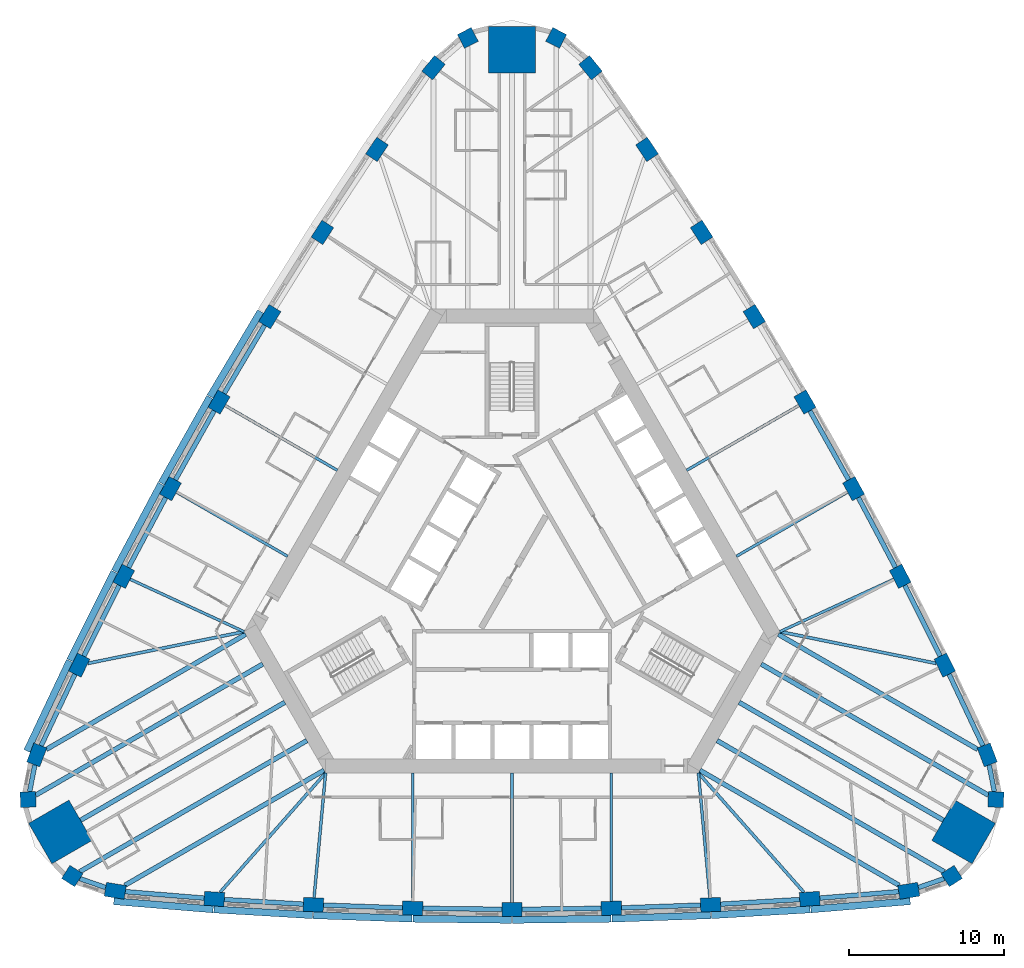
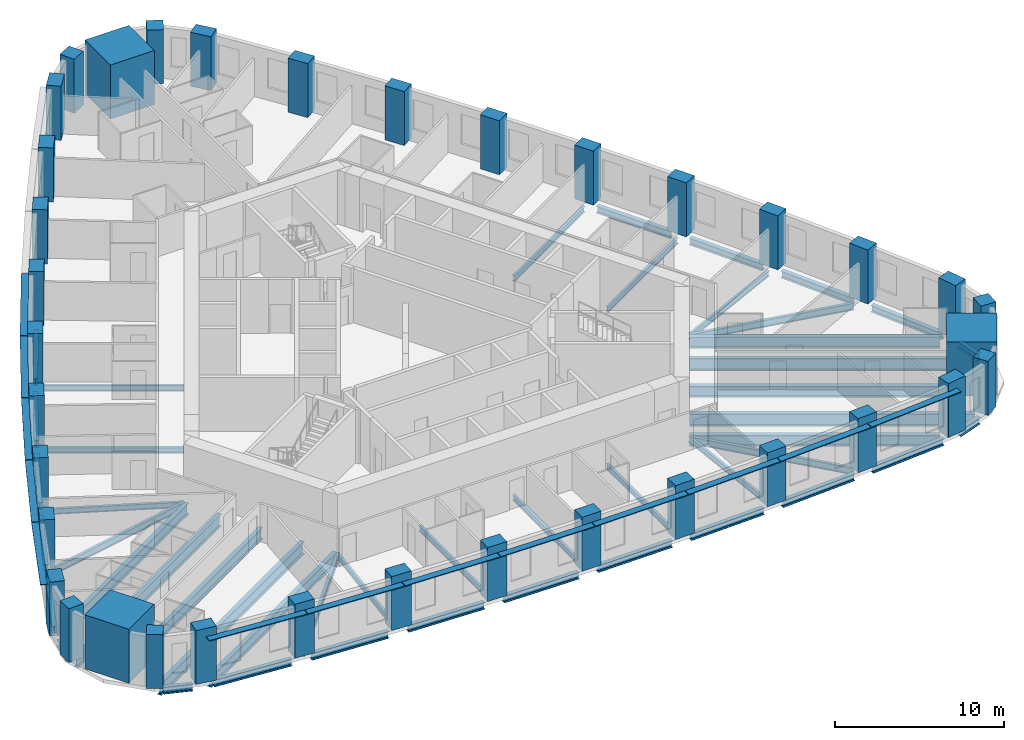
# One storey, part 1 of 12: 46 beams, 36 columns, 13 members.
"""IFC4 building model written with IfcOpenShell, lengths in metres."""

from ifc_helpers import new_model, si_unit, direction, frame, origin, origin_2d, place, context, subcontext, project, spatial, rectangle, i_section, extrude, material, material_profile, profile_set, type_object, element, save


model = new_model("IFC4")

# Units and contexts
model_context = context("Model", 3, precision=1e-05, world=origin(), true_north=direction((0.0, 1.0)))
body_context = subcontext(model_context, "Body", "Model", "MODEL_VIEW")
ifc_project = project(units=[si_unit("LENGTHUNIT", "METRE"), si_unit("AREAUNIT", "SQUARE_METRE"), si_unit("VOLUMEUNIT", "CUBIC_METRE"), si_unit("PLANEANGLEUNIT", "RADIAN"), si_unit("MASSUNIT", "GRAM", prefix="KILO")], contexts=[model_context])

# Site, building, storey
site_placement = place(None, origin())
site = spatial("IfcSite", under=ifc_project, at=site_placement, CompositionType="ELEMENT")
building_placement = place(site_placement, origin())
building = spatial("IfcBuilding", under=site, at=building_placement, Name="Mestral Congress Tower", CompositionType="ELEMENT")
storey_placement = place(building_placement, frame((0.0, 0.0, 107.10009765625)))
storey = spatial("IfcBuildingStorey", under=building, at=storey_placement, Name="L25", CompositionType="ELEMENT", Elevation=107.10009765625)

# Columns
ifc_material_1 = material(Name="Concrete C70/85", Category="concrete")
ifc_material_profile_1 = material_profile(ifc_material_1, rectangle(XDim=1.0, YDim=1.0, at=origin_2d()), Name="RC 1000x1000")
ifc_profile_set_1 = profile_set([ifc_material_profile_1], Name="Concrete C70/85")
column_type_1 = type_object("IfcColumnType", Name="Column RC 1000x1000 C70/85", PredefinedType="COLUMN", material=ifc_profile_set_1)
for number, where, z_axis, x_axis, name in (
    (1, (28.331298828125, -19.642822265625, 0.0), (0.0, 0.0, 1.0), (0.841700252504, 0.53994507585, 0.0), "COL-L25-C2-SE1"),
    (2, (31.1767578125, -14.714111328125, 0.0), (0.0, 0.0, 1.0), (0.046756026083, 0.998906338965, 0.0), "COL-L25-C2-SE3"),
    (3, (2.845703125, 34.35693359375, 0.0), (0.0, 0.0, 1.0), (-0.888456278587, 0.458961263115, 0.0), "COL-L25-C2-N1"),
    (4, (-2.845703125, 34.35693359375, 0.0), (0.0, 0.0, 1.0), (-0.888456278587, -0.458961263115, 0.0), "COL-L25-C2-N3"),
    (5, (-31.1767578125, -14.714111328125, 0.0), (0.0, 0.0, 1.0), (0.046756026083, -0.998906338965, 0.0), "COL-L25-C2-SW1"),
    (6, (-28.331298828125, -19.642822265625, 0.0), (0.0, 0.0, 1.0), (0.841700252504, -0.53994507585, 0.0), "COL-L25-C2-SW3"),
):
    element("IfcColumn", number, at=place(storey_placement, frame(where, z_axis=z_axis, x_axis=x_axis)), inside=storey, type_object=column_type_1, Name=name, PredefinedType="COLUMN", context=body_context, shape_type="SweptSolid", body=[
        extrude(rectangle(XDim=1.0, YDim=1.0, at=origin_2d()), origin(), (0.0, 0.0, 1.0), 3.89990234375),
    ])
ifc_material_profile_2 = material_profile(ifc_material_1, rectangle(XDim=1.300048828125, YDim=0.89990234375, at=origin_2d()), Name="RC 1300x900")
ifc_profile_set_2 = profile_set([ifc_material_profile_2], Name="Concrete C70/85")
column_type_2 = type_object("IfcColumnType", Name="Column RC 1300x900 C70/85", PredefinedType="COLUMN", material=ifc_profile_set_2)
for number, where, z_axis, x_axis, name in (
    (7, (-25.562744140625, -20.59716796875, 0.0), (0.0, 0.0, 1.0), (0.987202314361, -0.159472851987, 0.0), "COL-L25-C2-S00"),
    (8, (-19.184326171875, -21.120361328125, 0.0), (0.0, 0.0, 1.0), (0.997539884588, -0.07010120296, 0.0), "COL-L25-C2-S01"),
    (9, (-12.79541015625, -21.494384765625, 0.0), (0.0, 0.0, 1.0), (0.998906338965, -0.046756026083, 0.0), "COL-L25-C2-S02"),
    (10, (-6.3994140625, -21.71875, 0.0), (0.0, 0.0, 1.0), (0.99972656776, -0.023383535144, 0.0), "COL-L25-C2-S03"),
    (11, (0.0, -21.793701171875, 0.0), (0.0, 0.0, 1.0), (1.0, 0.0, 0.0), "COL-L25-C2-S04"),
    (12, (6.3994140625, -21.71875, 0.0), (0.0, 0.0, 1.0), (0.99972656776, 0.023383535144, 0.0), "COL-L25-C2-S05"),
    (13, (12.79541015625, -21.494384765625, 0.0), (0.0, 0.0, 1.0), (0.998906338965, 0.046756026083, 0.0), "COL-L25-C2-S06"),
    (14, (19.184326171875, -21.120361328125, 0.0), (0.0, 0.0, 1.0), (0.997539884588, 0.07010120296, 0.0), "COL-L25-C2-S07"),
    (15, (25.562744140625, -20.59716796875, 0.0), (0.0, 0.0, 1.0), (0.987202314361, 0.159472851987, 0.0), "COL-L25-C2-S08"),
    (16, (30.618896484375, -11.83935546875, 0.0), (0.0, 0.0, 1.0), (-0.355493616145, 0.934678708905, 0.0), "COL-L25-C2-E00"),
    (17, (27.8828125, -6.0537109375, 0.0), (0.0, 0.0, 1.0), (-0.438060519695, 0.898945482821, 0.0), "COL-L25-C2-E01"),
    (18, (25.01220703125, -0.333984375, 0.0), (0.0, 0.0, 1.0), (-0.458961263115, 0.888456278587, 0.0), "COL-L25-C2-E02"),
    (19, (22.0087890625, 5.3173828125, 0.0), (0.0, 0.0, 1.0), (-0.479612548415, 0.87748037209, 0.0), "COL-L25-C2-E03"),
    (20, (18.873779296875, 10.896728515625, 0.0), (0.0, 0.0, 1.0), (-0.5, 0.866025403784, 0.0), "COL-L25-C2-E04"),
    (21, (15.609375, 16.401611328125, 0.0), (0.0, 0.0, 1.0), (-0.520114019344, 0.854096836946, 0.0), "COL-L25-C2-E05"),
    (22, (12.217041015625, 21.828369140625, 0.0), (0.0, 0.0, 1.0), (-0.53994507585, 0.841700252504, 0.0), "COL-L25-C2-E06"),
    (23, (8.69873046875, 27.17431640625, 0.0), (0.0, 0.0, 1.0), (-0.559479364893, 0.828844279861, 0.0), "COL-L25-C2-E07"),
    (24, (5.056396484375, 32.4365234375, 0.0), (0.0, 0.0, 1.0), (-0.631708698215, 0.775205856918, 0.0), "COL-L25-C2-E08"),
    (25, (-5.056396484375, 32.4365234375, 0.0), (0.0, 0.0, 1.0), (-0.631708698215, -0.775205856918, 0.0), "COL-L25-C2-W00"),
    (26, (-8.69873046875, 27.17431640625, 0.0), (0.0, 0.0, 1.0), (-0.559479364893, -0.828844279861, 0.0), "COL-L25-C2-W01"),
    (27, (-12.217041015625, 21.828369140625, 0.0), (0.0, 0.0, 1.0), (-0.53994507585, -0.841700252504, 0.0), "COL-L25-C2-W02"),
    (28, (-15.609375, 16.401611328125, 0.0), (0.0, 0.0, 1.0), (-0.520114019344, -0.854096836946, 0.0), "COL-L25-C2-W03"),
    (29, (-18.873779296875, 10.896728515625, 0.0), (0.0, 0.0, 1.0), (-0.5, -0.866025403784, 0.0), "COL-L25-C2-W04"),
    (30, (-22.0087890625, 5.3173828125, 0.0), (0.0, 0.0, 1.0), (-0.479612548415, -0.87748037209, 0.0), "COL-L25-C2-W05"),
    (31, (-25.01220703125, -0.333984375, 0.0), (0.0, 0.0, 1.0), (-0.458961263115, -0.888456278587, 0.0), "COL-L25-C2-W06"),
    (32, (-27.8828125, -6.0537109375, 0.0), (0.0, 0.0, 1.0), (-0.438060519695, -0.898945482821, 0.0), "COL-L25-C2-W07"),
    (33, (-30.618896484375, -11.83935546875, 0.0), (0.0, 0.0, 1.0), (-0.355493616145, -0.934678708905, 0.0), "COL-L25-C2-W08"),
):
    element("IfcColumn", number, at=place(storey_placement, frame(where, z_axis=z_axis, x_axis=x_axis)), inside=storey, type_object=column_type_2, Name=name, PredefinedType="COLUMN", context=body_context, shape_type="SweptSolid", body=[
        extrude(rectangle(XDim=1.300048828125, YDim=0.89990234375, at=origin_2d()), origin(), (0.0, 0.0, 1.0), 3.89990234375),
    ])
ifc_material_2 = material(Name="Concrete C80/95", Category="concrete")
ifc_material_profile_3 = material_profile(ifc_material_2, rectangle(XDim=3.0, YDim=3.0, at=origin_2d()), Name="RC 3000x3000")
ifc_profile_set_3 = profile_set([ifc_material_profile_3], Name="Concrete C80/95")
column_type_3 = type_object("IfcColumnType", Name="Mega column RC 3000x3000 C80/95", PredefinedType="COLUMN", material=ifc_profile_set_3)
for number, where, z_axis, x_axis, name in (
    (34, (29.09716796875, -16.79931640625, 0.0), (0.0, 0.0, 1.0), (0.866025403784, -0.5, 0.0), "COL-L25-PY2-SE"),
    (35, (0.0, 33.598388671875, 0.0), (0.0, 0.0, 1.0), (0.0, 1.0, 0.0), "COL-L25-PY2-N"),
    (36, (-29.09716796875, -16.79931640625, 0.0), (0.0, 0.0, 1.0), (-0.866025403784, -0.5, 0.0), "COL-L25-PY2-SW"),
):
    element("IfcColumn", number, at=place(storey_placement, frame(where, z_axis=z_axis, x_axis=x_axis)), inside=storey, type_object=column_type_3, Name=name, PredefinedType="COLUMN", context=body_context, shape_type="SweptSolid", body=[
        extrude(rectangle(XDim=3.0, YDim=3.0, at=origin_2d()), origin(), (0.0, 0.0, 1.0), 3.89990234375),
    ])

# Members
ifc_material_3 = material(Name="Glazed ceramic", Category="masonry")
ifc_material_profile_4 = material_profile(ifc_material_3, rectangle(XDim=0.449951171875, YDim=0.06005859375, at=origin_2d()), Name="Ceramic blade 450 x 60")
ifc_profile_set_4 = profile_set([ifc_material_profile_4], Name="Glazed ceramic")
member_type = type_object("IfcMemberType", Name="Facade sunshade blade 450 x 60", PredefinedType="USERDEFINED", material=ifc_profile_set_4)
member_1_placement = place(storey_placement, frame((-25.654296875, -21.266845703125, 3.27978515625), z_axis=(0.996650616323, -0.081777435656, 0.0), x_axis=(0.081777435656, 0.996650616323, 0.0)))
element("IfcMember", 37, at=member_1_placement, inside=storey, type_object=member_type, Name="Sunshade F0-00", ObjectType="SUNSHADE", PredefinedType="USERDEFINED", context=body_context, shape_type="SweptSolid", body=[
    extrude(rectangle(XDim=0.449951171875, YDim=0.06005859375, at=origin_2d()), origin(), (0.0, 0.0, 1.0), 6.421630859375),
])
for number, where, z_axis, x_axis, name in (
    (38, (-19.208984375, -21.795166015625, 3.27978515625), (0.998292825409, -0.05840748871, 0.0), (0.05840748871, 0.998292825409, 0.0), "Sunshade F0-01"),
    (39, (-12.80419921875, -22.16943359375, 3.27978515625), (0.999384970229, -0.035066811664, 0.0), (0.035066811664, 0.999384970229, 0.0), "Sunshade F0-02"),
    (40, (-6.392578125, -22.393798828125, 3.27978515625), (0.999931231966, -0.011727375608, 0.0), (0.011727375608, 0.999931231966, 0.0), "Sunshade F0-03"),
    (41, (0.022705078125, -22.468505859375, 3.27978515625), (0.999931231966, 0.011727375608, 0.0), (-0.011727375608, 0.999931231966, 0.0), "Sunshade F0-04"),
    (42, (6.437744140625, -22.392822265625, 3.27978515625), (0.999384970229, 0.035066811664, 0.0), (-0.035066811664, 0.999384970229, 0.0), "Sunshade F0-05"),
    (43, (12.849609375, -22.167236328125, 3.27978515625), (0.998292825409, 0.05840748871, 0.0), (-0.05840748871, 0.998292825409, 0.0), "Sunshade F0-06"),
):
    element("IfcMember", number, at=place(storey_placement, frame(where, z_axis=z_axis, x_axis=x_axis)), inside=storey, type_object=member_type, Name=name, ObjectType="SUNSHADE", PredefinedType="USERDEFINED", context=body_context, shape_type="SweptSolid", body=[
        extrude(rectangle(XDim=0.449951171875, YDim=0.06005859375, at=origin_2d()), origin(), (0.0, 0.0, 1.0), 6.370361328125),
    ])
member_2_placement = place(storey_placement, frame((19.254150390625, -21.7919921875, 3.27978515625), z_axis=(0.996650616323, 0.081777435656, 0.0), x_axis=(-0.081777435656, 0.996650616323, 0.0)))
element("IfcMember", 44, at=member_2_placement, inside=storey, type_object=member_type, Name="Sunshade F0-07", ObjectType="SUNSHADE", PredefinedType="USERDEFINED", context=body_context, shape_type="SweptSolid", body=[
    extrude(rectangle(XDim=0.449951171875, YDim=0.06005859375, at=origin_2d()), origin(), (0.0, 0.0, 1.0), 6.421630859375),
])
for number, where, z_axis, x_axis, name in (
    (45, (-16.197509765625, 16.733154296875, 3.27978515625), (-0.510098606231, -0.86011592935, 0.0), (0.86011592935, -0.510098606231, 0.0), "Sunshade F2-03"),
    (46, (-19.469482421875, 11.214599609375, 3.27978515625), (-0.489860886888, -0.871800614531, 0.0), (0.871800614531, -0.489860886888, 0.0), "Sunshade F2-04"),
    (47, (-22.61181640625, 5.62109375, 3.27978515625), (-0.469318672425, -0.883028869128, 0.0), (0.883028869128, -0.469318672425, 0.0), "Sunshade F2-05"),
):
    element("IfcMember", number, at=place(storey_placement, frame(where, z_axis=z_axis, x_axis=x_axis)), inside=storey, type_object=member_type, Name=name, ObjectType="SUNSHADE", PredefinedType="USERDEFINED", context=body_context, shape_type="SweptSolid", body=[
        extrude(rectangle(XDim=0.449951171875, YDim=0.06005859375, at=origin_2d()), origin(), (0.0, 0.0, 1.0), 6.370361328125),
    ])
member_3_placement = place(storey_placement, frame((-25.622314453125, -0.04443359375, 3.27978515625), z_axis=(-0.448531530965, -0.893767008638, 0.0), x_axis=(0.893767008638, -0.448531530965, 0.0)))
element("IfcMember", 48, at=member_3_placement, inside=storey, type_object=member_type, Name="Sunshade F2-06", ObjectType="SUNSHADE", PredefinedType="USERDEFINED", context=body_context, shape_type="SweptSolid", body=[
    extrude(rectangle(XDim=0.449951171875, YDim=0.06005859375, at=origin_2d()), origin(), (0.0, 0.0, 1.0), 6.3701171875),
])
member_4_placement = place(storey_placement, frame((-28.49951171875, -5.778564453125, 3.27978515625), z_axis=(-0.427519164001, -0.904006285604, 0.0), x_axis=(0.904006285604, -0.427519164001, 0.0)))
element("IfcMember", 49, at=member_4_placement, inside=storey, type_object=member_type, Name="Sunshade F2-07", ObjectType="SUNSHADE", PredefinedType="USERDEFINED", context=body_context, shape_type="SweptSolid", body=[
    extrude(rectangle(XDim=0.449951171875, YDim=0.06005859375, at=origin_2d()), origin(), (0.0, 0.0, 1.0), 6.421630859375),
])

# Beams
ifc_material_4 = material(Name="Steel S355", Category="steel")
ifc_material_profile_5 = material_profile(ifc_material_4, i_section(OverallWidth=0.300048828125, OverallDepth=0.800048828125, WebThickness=0.017578125, FlangeThickness=0.032958984375, FilletRadius=0.030029296875, at=origin_2d()), Name="HEB 800")
ifc_profile_set_5 = profile_set([ifc_material_profile_5], Name="Steel S355")
beam_type_1 = type_object("IfcBeamType", Name="Floor beam HEB 800 S355", PredefinedType="BEAM", material=ifc_profile_set_5)
for number, where, z_axis, x_axis, name in (
    (50, (-24.94580078125, -20.240966796875, -0.650146484375), (0.866025146382, 0.500000445834, 0.0), (-0.500000445834, 0.866025146382, 0.0), "BM-L25-RB2-S00"),
    (51, (24.94580078125, -20.240966796875, -0.650146484375), (-0.866025146382, 0.500000445834, 0.0), (-0.500000445834, -0.866025146382, 0.0), "BM-L25-RB2-S08"),
):
    element("IfcBeam", number, at=place(storey_placement, frame(where, z_axis=z_axis, x_axis=x_axis)), inside=storey, type_object=beam_type_1, Name=name, PredefinedType="BEAM", context=body_context, shape_type="SweptSolid", body=[
        extrude(i_section(OverallWidth=0.300048828125, OverallDepth=0.800048828125, WebThickness=0.017578125, FlangeThickness=0.032958984375, FilletRadius=0.030029296875, at=origin_2d()), origin(), (0.0, 0.0, 1.0), 14.82421875),
    ])
beam_1_placement = place(storey_placement, frame((27.798095703125, -16.04931640625, -0.650146484375), z_axis=(-0.866023213189, 0.500003794204, 0.0), x_axis=(-0.500003794204, -0.866023213189, 0.0)))
element("IfcBeam", 52, at=beam_1_placement, inside=storey, type_object=beam_type_1, Name="BM-L25-RB2-SE", PredefinedType="BEAM", context=body_context, shape_type="SweptSolid", body=[
    extrude(i_section(OverallWidth=0.300048828125, OverallDepth=0.800048828125, WebThickness=0.017578125, FlangeThickness=0.032958984375, FilletRadius=0.030029296875, at=origin_2d()), origin(), (0.0, 0.0, 1.0), 15.19873046875),
])
for number, where, z_axis, x_axis, name in (
    (53, (30.002197265625, -11.483154296875, -0.650146484375), (-0.866025146382, 0.500000445834, 0.0), (-0.500000445834, -0.866025146382, 0.0), "BM-L25-RB2-E00"),
    (54, (-30.002197265625, -11.483154296875, -0.650146484375), (0.866025146382, 0.500000445834, 0.0), (-0.500000445834, 0.866025146382, 0.0), "BM-L25-RB2-W08"),
):
    element("IfcBeam", number, at=place(storey_placement, frame(where, z_axis=z_axis, x_axis=x_axis)), inside=storey, type_object=beam_type_1, Name=name, PredefinedType="BEAM", context=body_context, shape_type="SweptSolid", body=[
        extrude(i_section(OverallWidth=0.300048828125, OverallDepth=0.800048828125, WebThickness=0.017578125, FlangeThickness=0.032958984375, FilletRadius=0.030029296875, at=origin_2d()), origin(), (0.0, 0.0, 1.0), 14.82421875),
    ])
beam_2_placement = place(storey_placement, frame((-27.798095703125, -16.04931640625, -0.650146484375), z_axis=(0.866023213189, 0.500003794204, 0.0), x_axis=(-0.500003794204, 0.866023213189, 0.0)))
element("IfcBeam", 55, at=beam_2_placement, inside=storey, type_object=beam_type_1, Name="BM-L25-RB2-SW", PredefinedType="BEAM", context=body_context, shape_type="SweptSolid", body=[
    extrude(i_section(OverallWidth=0.300048828125, OverallDepth=0.800048828125, WebThickness=0.017578125, FlangeThickness=0.032958984375, FilletRadius=0.030029296875, at=origin_2d()), origin(), (0.0, 0.0, 1.0), 15.19873046875),
])
ifc_material_profile_6 = material_profile(ifc_material_4, i_section(OverallWidth=0.300048828125, OverallDepth=0.89990234375, WebThickness=0.0185546875, FlangeThickness=0.034912109375, FilletRadius=0.030029296875, at=origin_2d()), Name="HEB 900")
ifc_profile_set_6 = profile_set([ifc_material_profile_6], Name="Steel S355")
beam_type_2 = type_object("IfcBeamType", Name="Floor beam HEB 900 S355", PredefinedType="BEAM", material=ifc_profile_set_6)
beam_3_placement = place(storey_placement, frame((27.84375, -19.361328125, -0.7001953125), z_axis=(-0.866024587677, 0.500001413537, 0.0), x_axis=(-0.500001413537, -0.866024587677, 0.0)))
element("IfcBeam", 56, at=beam_3_placement, inside=storey, type_object=beam_type_2, Name="BM-L25-RB2-SE1", PredefinedType="BEAM", context=body_context, shape_type="SweptSolid", body=[
    extrude(i_section(OverallWidth=0.300048828125, OverallDepth=0.89990234375, WebThickness=0.0185546875, FlangeThickness=0.034912109375, FilletRadius=0.030029296875, at=origin_2d()), origin(), (0.0, 0.0, 1.0), 16.89404296875),
])
for number, where, z_axis, x_axis, name in (
    (57, (30.689453125, -14.4326171875, -0.7001953125), (-0.866028200461, 0.499995155983, 0.0), (-0.499995155983, -0.866028200461, 0.0), "BM-L25-RB2-SE3"),
    (58, (-30.689453125, -14.4326171875, -0.7001953125), (0.866028200461, 0.499995155983, 0.0), (-0.499995155983, 0.866028200461, 0.0), "BM-L25-RB2-SW1"),
):
    element("IfcBeam", number, at=place(storey_placement, frame(where, z_axis=z_axis, x_axis=x_axis)), inside=storey, type_object=beam_type_2, Name=name, PredefinedType="BEAM", context=body_context, shape_type="SweptSolid", body=[
        extrude(i_section(OverallWidth=0.300048828125, OverallDepth=0.89990234375, WebThickness=0.0185546875, FlangeThickness=0.034912109375, FilletRadius=0.030029296875, at=origin_2d()), origin(), (0.0, 0.0, 1.0), 16.894287109375),
    ])
beam_4_placement = place(storey_placement, frame((-27.84375, -19.361328125, -0.7001953125), z_axis=(0.866024587677, 0.500001413537, 0.0), x_axis=(-0.500001413537, 0.866024587677, 0.0)))
element("IfcBeam", 59, at=beam_4_placement, inside=storey, type_object=beam_type_2, Name="BM-L25-RB2-SW3", PredefinedType="BEAM", context=body_context, shape_type="SweptSolid", body=[
    extrude(i_section(OverallWidth=0.300048828125, OverallDepth=0.89990234375, WebThickness=0.0185546875, FlangeThickness=0.034912109375, FilletRadius=0.030029296875, at=origin_2d()), origin(), (0.0, 0.0, 1.0), 16.89404296875),
])
ifc_material_profile_7 = material_profile(ifc_material_4, i_section(OverallWidth=0.179931640625, OverallDepth=0.39990234375, WebThickness=0.008544921875, FlangeThickness=0.013427734375, FilletRadius=0.02099609375, at=origin_2d()), Name="IPE 400")
ifc_profile_set_7 = profile_set([ifc_material_profile_7], Name="Steel S355")
beam_type_3 = type_object("IfcBeamType", Name="Floor beam IPE 400 S355", PredefinedType="BEAM", material=ifc_profile_set_7)
beam_5_placement = place(storey_placement, frame((-12.753662109375, -21.0458984375, -0.4501953125), z_axis=(0.092183786594, 0.995742009503, 0.0), x_axis=(-0.995742009503, 0.092183786594, 0.0)))
element("IfcBeam", 60, at=beam_5_placement, inside=storey, type_object=beam_type_3, Name="BM-L25-RB2-S02", PredefinedType="BEAM", context=body_context, shape_type="SweptSolid", body=[
    extrude(i_section(OverallWidth=0.179931640625, OverallDepth=0.39990234375, WebThickness=0.008544921875, FlangeThickness=0.013427734375, FilletRadius=0.02099609375, at=origin_2d()), origin(), (0.0, 0.0, 1.0), 8.080322265625),
])
beam_6_placement = place(storey_placement, frame((-6.3994140625, -21.268798828125, -0.4501953125), z_axis=(0.0, 1.0, 0.0), x_axis=(-1.0, 0.0, 0.0)))
element("IfcBeam", 61, at=beam_6_placement, inside=storey, type_object=beam_type_3, Name="BM-L25-RB2-S03", PredefinedType="BEAM", context=body_context, shape_type="SweptSolid", body=[
    extrude(i_section(OverallWidth=0.179931640625, OverallDepth=0.39990234375, WebThickness=0.008544921875, FlangeThickness=0.013427734375, FilletRadius=0.02099609375, at=origin_2d()), origin(), (0.0, 0.0, 1.0), 8.268798828125),
])
beam_7_placement = place(storey_placement, frame((0.0, -21.343505859375, -0.4501953125), z_axis=(0.0, 1.0, 0.0), x_axis=(-1.0, 0.0, 0.0)))
element("IfcBeam", 62, at=beam_7_placement, inside=storey, type_object=beam_type_3, Name="BM-L25-RB2-S04", PredefinedType="BEAM", context=body_context, shape_type="SweptSolid", body=[
    extrude(i_section(OverallWidth=0.179931640625, OverallDepth=0.39990234375, WebThickness=0.008544921875, FlangeThickness=0.013427734375, FilletRadius=0.02099609375, at=origin_2d()), origin(), (0.0, 0.0, 1.0), 8.343505859375),
])
beam_8_placement = place(storey_placement, frame((6.3994140625, -21.268798828125, -0.4501953125), z_axis=(0.0, 1.0, 0.0), x_axis=(-1.0, 0.0, 0.0)))
element("IfcBeam", 63, at=beam_8_placement, inside=storey, type_object=beam_type_3, Name="BM-L25-RB2-S05", PredefinedType="BEAM", context=body_context, shape_type="SweptSolid", body=[
    extrude(i_section(OverallWidth=0.179931640625, OverallDepth=0.39990234375, WebThickness=0.008544921875, FlangeThickness=0.013427734375, FilletRadius=0.02099609375, at=origin_2d()), origin(), (0.0, 0.0, 1.0), 8.268798828125),
])
beam_9_placement = place(storey_placement, frame((12.753662109375, -21.0458984375, -0.4501953125), z_axis=(-0.092183786594, 0.995742009503, 0.0), x_axis=(-0.995742009503, -0.092183786594, 0.0)))
element("IfcBeam", 64, at=beam_9_placement, inside=storey, type_object=beam_type_3, Name="BM-L25-RB2-S06", PredefinedType="BEAM", context=body_context, shape_type="SweptSolid", body=[
    extrude(i_section(OverallWidth=0.179931640625, OverallDepth=0.39990234375, WebThickness=0.008544921875, FlangeThickness=0.013427734375, FilletRadius=0.02099609375, at=origin_2d()), origin(), (0.0, 0.0, 1.0), 8.080322265625),
])
beam_10_placement = place(storey_placement, frame((24.60302734375, -0.522216796875, -0.4501953125), z_axis=(-0.908437217841, -0.418021316731, 0.0), x_axis=(0.418021316731, -0.908437217841, 0.0)))
element("IfcBeam", 65, at=beam_10_placement, inside=storey, type_object=beam_type_3, Name="BM-L25-RB2-E02", PredefinedType="BEAM", context=body_context, shape_type="SweptSolid", body=[
    extrude(i_section(OverallWidth=0.179931640625, OverallDepth=0.39990234375, WebThickness=0.008544921875, FlangeThickness=0.013427734375, FilletRadius=0.02099609375, at=origin_2d()), origin(), (0.0, 0.0, 1.0), 8.080078125),
])
beam_11_placement = place(storey_placement, frame((21.618896484375, 5.09228515625, -0.4501953125), z_axis=(-0.866028737439, -0.499994225897, 0.0), x_axis=(0.499994225897, -0.866028737439, 0.0)))
element("IfcBeam", 66, at=beam_11_placement, inside=storey, type_object=beam_type_3, Name="BM-L25-RB2-E03", PredefinedType="BEAM", context=body_context, shape_type="SweptSolid", body=[
    extrude(i_section(OverallWidth=0.179931640625, OverallDepth=0.39990234375, WebThickness=0.008544921875, FlangeThickness=0.013427734375, FilletRadius=0.02099609375, at=origin_2d()), origin(), (0.0, 0.0, 1.0), 8.2685546875),
])
for number, where, z_axis, x_axis, name in (
    (67, (18.484130859375, 10.671875, -0.4501953125), (-0.86602332482, -0.500003600855, 0.0), (0.500003600855, -0.86602332482, 0.0), "BM-L25-RB2-E04"),
    (68, (-18.484130859375, 10.671875, -0.4501953125), (0.86602332482, -0.500003600855, 0.0), (0.500003600855, 0.86602332482, 0.0), "BM-L25-RB2-W04"),
):
    element("IfcBeam", number, at=place(storey_placement, frame(where, z_axis=z_axis, x_axis=x_axis)), inside=storey, type_object=beam_type_3, Name=name, PredefinedType="BEAM", context=body_context, shape_type="SweptSolid", body=[
        extrude(i_section(OverallWidth=0.179931640625, OverallDepth=0.39990234375, WebThickness=0.008544921875, FlangeThickness=0.013427734375, FilletRadius=0.02099609375, at=origin_2d()), origin(), (0.0, 0.0, 1.0), 8.34375),
    ])
beam_12_placement = place(storey_placement, frame((-21.618896484375, 5.09228515625, -0.4501953125), z_axis=(0.866028737439, -0.499994225897, 0.0), x_axis=(0.499994225897, 0.866028737439, 0.0)))
element("IfcBeam", 69, at=beam_12_placement, inside=storey, type_object=beam_type_3, Name="BM-L25-RB2-W05", PredefinedType="BEAM", context=body_context, shape_type="SweptSolid", body=[
    extrude(i_section(OverallWidth=0.179931640625, OverallDepth=0.39990234375, WebThickness=0.008544921875, FlangeThickness=0.013427734375, FilletRadius=0.02099609375, at=origin_2d()), origin(), (0.0, 0.0, 1.0), 8.2685546875),
])
beam_13_placement = place(storey_placement, frame((-24.60302734375, -0.522216796875, -0.4501953125), z_axis=(0.908437217841, -0.418021316731, 0.0), x_axis=(0.418021316731, 0.908437217841, 0.0)))
element("IfcBeam", 70, at=beam_13_placement, inside=storey, type_object=beam_type_3, Name="BM-L25-RB2-W06", PredefinedType="BEAM", context=body_context, shape_type="SweptSolid", body=[
    extrude(i_section(OverallWidth=0.179931640625, OverallDepth=0.39990234375, WebThickness=0.008544921875, FlangeThickness=0.013427734375, FilletRadius=0.02099609375, at=origin_2d()), origin(), (0.0, 0.0, 1.0), 8.080078125),
])
ifc_material_profile_8 = material_profile(ifc_material_4, i_section(OverallWidth=0.199951171875, OverallDepth=0.5, WebThickness=0.01025390625, FlangeThickness=0.01611328125, FilletRadius=0.02099609375, at=origin_2d()), Name="IPE 500")
ifc_profile_set_8 = profile_set([ifc_material_profile_8], Name="Steel S355")
beam_type_4 = type_object("IfcBeamType", Name="Floor beam IPE 500 S355", PredefinedType="BEAM", material=ifc_profile_set_8)
for number, where, z_axis, x_axis, name in (
    (71, (-18.80908203125, -20.695556640625, -0.5), (0.662174203587, 0.749349934346, 0.0), (-0.749349934346, 0.662174203587, 0.0), "BM-L25-RB2-S01"),
    (72, (18.80908203125, -20.695556640625, -0.5), (-0.662174203587, 0.749349934346, 0.0), (-0.749349934346, -0.662174203587, 0.0), "BM-L25-RB2-S07"),
    (73, (27.327392578125, -5.941162109375, -0.5), (-0.980046767137, 0.198767035052, 0.0), (-0.198767035052, -0.980046767137, 0.0), "BM-L25-RB2-E01"),
    (74, (-27.327392578125, -5.941162109375, -0.5), (0.980046767137, 0.198767035052, 0.0), (-0.198767035052, 0.980046767137, 0.0), "BM-L25-RB2-W07"),
):
    element("IfcBeam", number, at=place(storey_placement, frame(where, z_axis=z_axis, x_axis=x_axis)), inside=storey, type_object=beam_type_4, Name=name, PredefinedType="BEAM", context=body_context, shape_type="SweptSolid", body=[
        extrude(i_section(OverallWidth=0.199951171875, OverallDepth=0.5, WebThickness=0.01025390625, FlangeThickness=0.01611328125, FilletRadius=0.02099609375, at=origin_2d()), origin(), (0.0, 0.0, 1.0), 10.26953125),
    ])
ifc_material_profile_9 = material_profile(ifc_material_4, i_section(OverallWidth=0.300048828125, OverallDepth=0.489990234375, WebThickness=0.011962890625, FlangeThickness=0.02294921875, FilletRadius=0.027099609375, at=origin_2d()), Name="HEA 500")
ifc_profile_set_9 = profile_set([ifc_material_profile_9], Name="Steel S355")
beam_type_5 = type_object("IfcBeamType", Name="Spandrel beam HEA 500 S355", PredefinedType="BEAM", material=ifc_profile_set_9)
beam_14_placement = place(storey_placement, frame((-24.912841796875, -20.650390625, -0.4951171875), z_axis=(0.996652597162, -0.081753290887, 0.0), x_axis=(0.081753290887, 0.996652597162, 0.0)))
element("IfcBeam", 75, at=beam_14_placement, inside=storey, type_object=beam_type_5, Name="SP-L25-SB2-S00", PredefinedType="BEAM", context=body_context, shape_type="SweptSolid", body=[
    extrude(i_section(OverallWidth=0.300048828125, OverallDepth=0.489990234375, WebThickness=0.011962890625, FlangeThickness=0.02294921875, FilletRadius=0.027099609375, at=origin_2d()), origin(), (0.0, 0.0, 1.0), 5.09765625),
])
for number, where, z_axis, x_axis, name in (
    (76, (-18.535400390625, -21.158447265625, -0.4951171875), (0.998292976718, -0.058404902489, 0.0), (0.058404902489, 0.998292976718, 0.0), "SP-L25-SB2-S01"),
    (77, (-12.145751953125, -21.51708984375, -0.4951171875), (0.999384139945, -0.035090466305, 0.0), (0.035090466305, 0.999384139945, 0.0), "SP-L25-SB2-S02"),
    (78, (-5.74951171875, -21.726318359375, -0.4951171875), (0.999931780034, -0.011680551241, 0.0), (0.011680551241, 0.999931780034, 0.0), "SP-L25-SB2-S03"),
    (79, (0.64990234375, -21.785888671875, -0.4951171875), (0.999931780034, 0.011680551241, 0.0), (-0.011680551241, 0.999931780034, 0.0), "SP-L25-SB2-S04"),
    (80, (7.049072265625, -21.696044921875, -0.4951171875), (0.999384139945, 0.035090466305, 0.0), (-0.035090466305, 0.999384139945, 0.0), "SP-L25-SB2-S05"),
    (81, (13.4443359375, -21.456298828125, -0.4951171875), (0.998292976718, 0.058404902489, 0.0), (-0.058404902489, 0.998292976718, 0.0), "SP-L25-SB2-S06"),
):
    element("IfcBeam", number, at=place(storey_placement, frame(where, z_axis=z_axis, x_axis=x_axis)), inside=storey, type_object=beam_type_5, Name=name, PredefinedType="BEAM", context=body_context, shape_type="SweptSolid", body=[
        extrude(i_section(OverallWidth=0.300048828125, OverallDepth=0.489990234375, WebThickness=0.011962890625, FlangeThickness=0.02294921875, FilletRadius=0.027099609375, at=origin_2d()), origin(), (0.0, 0.0, 1.0), 5.099853515625),
    ])
beam_15_placement = place(storey_placement, frame((19.832275390625, -21.067138671875, -0.4951171875), z_axis=(0.996652597162, 0.081753290887, 0.0), x_axis=(-0.081753290887, 0.996652597162, 0.0)))
element("IfcBeam", 82, at=beam_15_placement, inside=storey, type_object=beam_type_5, Name="SP-L25-SB2-S07", PredefinedType="BEAM", context=body_context, shape_type="SweptSolid", body=[
    extrude(i_section(OverallWidth=0.300048828125, OverallDepth=0.489990234375, WebThickness=0.011962890625, FlangeThickness=0.02294921875, FilletRadius=0.027099609375, at=origin_2d()), origin(), (0.0, 0.0, 1.0), 5.09765625),
])
for number, where, z_axis, x_axis, name in (
    (83, (26.186279296875, -20.382080078125, -0.4951171875), (0.945433605893, 0.325814819873, 0.0), (-0.325814819873, 0.945433605893, 0.0), "SP-L25-SB2-S08"),
    (84, (31.078857421875, -14.208984375, -0.4951171875), (-0.190545536928, 0.981678357894, 0.0), (-0.981678357894, -0.190545536928, 0.0), "SP-L25-SB2-SE3"),
):
    element("IfcBeam", number, at=place(storey_placement, frame(where, z_axis=z_axis, x_axis=x_axis)), inside=storey, type_object=beam_type_5, Name=name, PredefinedType="BEAM", context=body_context, shape_type="SweptSolid", body=[
        extrude(i_section(OverallWidth=0.300048828125, OverallDepth=0.489990234375, WebThickness=0.011962890625, FlangeThickness=0.02294921875, FilletRadius=0.027099609375, at=origin_2d()), origin(), (0.0, 0.0, 1.0), 1.754150390625),
    ])
beam_16_placement = place(storey_placement, frame((30.34033203125, -11.25, -0.4951171875), z_axis=(-0.427509849729, 0.904010690415, 0.0), x_axis=(-0.904010690415, -0.427509849729, 0.0)))
element("IfcBeam", 85, at=beam_16_placement, inside=storey, type_object=beam_type_5, Name="SP-L25-SB2-E00", PredefinedType="BEAM", context=body_context, shape_type="SweptSolid", body=[
    extrude(i_section(OverallWidth=0.300048828125, OverallDepth=0.489990234375, WebThickness=0.011962890625, FlangeThickness=0.02294921875, FilletRadius=0.027099609375, at=origin_2d()), origin(), (0.0, 0.0, 1.0), 5.097900390625),
])
for number, where, z_axis, x_axis, name in (
    (86, (27.59130859375, -5.472900390625, -0.4951171875), (-0.448515247182, 0.89377518037, 0.0), (-0.89377518037, -0.448515247182, 0.0), "SP-L25-SB2-E01"),
    (87, (24.707275390625, 0.239990234375, -0.4951171875), (-0.469288226496, 0.883045050081, 0.0), (-0.883045050081, -0.469288226496, 0.0), "SP-L25-SB2-E02"),
    (88, (21.6904296875, 5.884033203125, -0.4951171875), (-0.489836148985, 0.871814514187, 0.0), (-0.871814514187, -0.489836148985, 0.0), "SP-L25-SB2-E03"),
    (89, (-15.94091796875, 15.84228515625, -0.4951171875), (-0.510081870963, -0.860125854114, 0.0), (0.860125854114, -0.510081870963, 0.0), "SP-L25-SB2-W03"),
    (90, (-19.1923828125, 10.330078125, -0.4951171875), (-0.489836148985, -0.871814514187, 0.0), (0.871814514187, -0.489836148985, 0.0), "SP-L25-SB2-W04"),
    (91, (-22.31396484375, 4.743408203125, -0.4951171875), (-0.469288226496, -0.883045050081, 0.0), (0.883045050081, -0.469288226496, 0.0), "SP-L25-SB2-W05"),
    (92, (-25.303955078125, -0.914794921875, -0.4951171875), (-0.448515247182, -0.89377518037, 0.0), (0.89377518037, -0.448515247182, 0.0), "SP-L25-SB2-W06"),
):
    element("IfcBeam", number, at=place(storey_placement, frame(where, z_axis=z_axis, x_axis=x_axis)), inside=storey, type_object=beam_type_5, Name=name, PredefinedType="BEAM", context=body_context, shape_type="SweptSolid", body=[
        extrude(i_section(OverallWidth=0.300048828125, OverallDepth=0.489990234375, WebThickness=0.011962890625, FlangeThickness=0.02294921875, FilletRadius=0.027099609375, at=origin_2d()), origin(), (0.0, 0.0, 1.0), 5.099853515625),
    ])
beam_17_placement = place(storey_placement, frame((-28.160888671875, -6.641357421875, -0.4951171875), z_axis=(-0.427509849729, -0.904010690415, 0.0), x_axis=(0.904010690415, -0.427509849729, 0.0)))
element("IfcBeam", 93, at=beam_17_placement, inside=storey, type_object=beam_type_5, Name="SP-L25-SB2-W07", PredefinedType="BEAM", context=body_context, shape_type="SweptSolid", body=[
    extrude(i_section(OverallWidth=0.300048828125, OverallDepth=0.489990234375, WebThickness=0.011962890625, FlangeThickness=0.02294921875, FilletRadius=0.027099609375, at=origin_2d()), origin(), (0.0, 0.0, 1.0), 5.097900390625),
])
for number, where, z_axis, x_axis, name in (
    (94, (-30.74462890625, -12.487060546875, -0.4951171875), (-0.190545536928, -0.981678357894, 0.0), (0.981678357894, -0.190545536928, 0.0), "SP-L25-SB2-W08"),
    (95, (-27.8447265625, -19.810546875, -0.4951171875), (0.945433605893, -0.325814819873, 0.0), (0.325814819873, 0.945433605893, 0.0), "SP-L25-SB2-SW3"),
):
    element("IfcBeam", number, at=place(storey_placement, frame(where, z_axis=z_axis, x_axis=x_axis)), inside=storey, type_object=beam_type_5, Name=name, PredefinedType="BEAM", context=body_context, shape_type="SweptSolid", body=[
        extrude(i_section(OverallWidth=0.300048828125, OverallDepth=0.489990234375, WebThickness=0.011962890625, FlangeThickness=0.02294921875, FilletRadius=0.027099609375, at=origin_2d()), origin(), (0.0, 0.0, 1.0), 1.754150390625),
    ])

save(model, "model.ifc")
